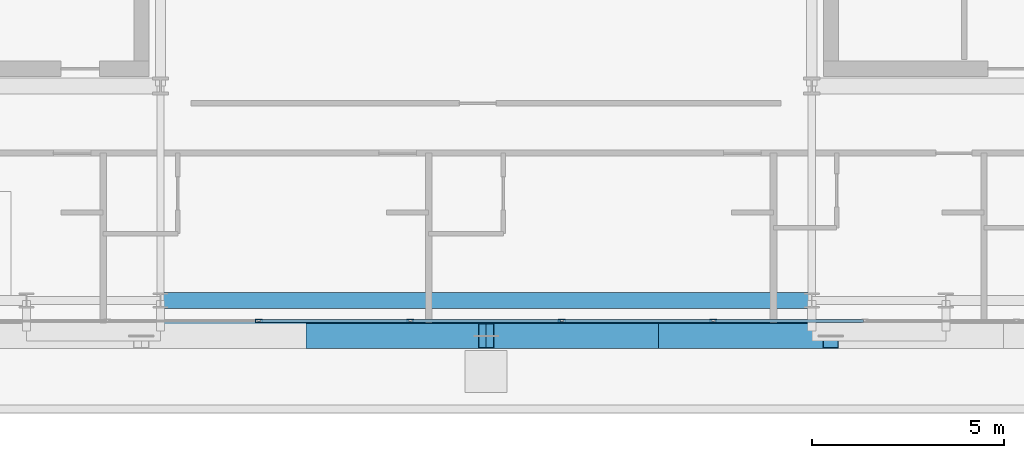
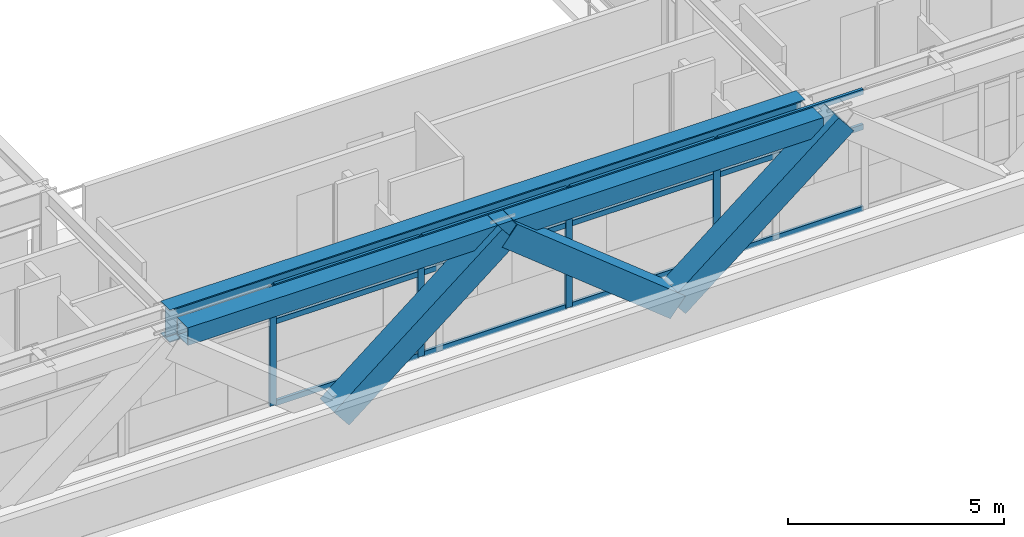
# One storey, part 5 of 27: 19 members, 2 beams, 1 element without a shape of its own.
"""IFC4 building model written with IfcOpenShell, lengths in metres."""

import ifcopenshell
import ifcopenshell.guid

model = None  # the IFC model being written
_history = None  # IfcOwnerHistory: only IFC2X3 demands one
_inside = {}  # id of a spatial element -> (the spatial element, [elements in it])
_under = {}  # id of a project, library or spatial element -> (it, [spatial elements below it])
_declared = {}  # id of a project -> (the project, [libraries it declares])
_typed = {}  # id of a type object -> (the type object, [elements of that type])
_made_of = {}  # id of a material, layer set ... -> (it, [elements and type objects made of it])


def new_model(schema):
    """Start an empty IFC model of exactly this schema.

    Asked for "IFC4X3", IfcOpenShell would pick the latest addendum, in which some entities
    have other attributes; the version numbers below select the first issue.
    IFC2X3 requires an IfcOwnerHistory on every rooted entity: one is made here for all.
    """
    global model, _history
    if schema == "IFC4X3":
        model = ifcopenshell.file(schema_version=(4, 3, 0, 0))
    else:
        model = ifcopenshell.file(schema=schema)
    _inside.clear()
    _under.clear()
    _declared.clear()
    _typed.clear()
    _made_of.clear()
    _history = None
    if model.schema == "IFC2X3":
        org = make("IfcOrganization", Name="unknown")
        user = make(
            "IfcPersonAndOrganization",
            ThePerson=make("IfcPerson", FamilyName="unknown"),
            TheOrganization=org,
        )
        app = make(
            "IfcApplication",
            ApplicationDeveloper=org,
            Version="unknown",
            ApplicationFullName="unknown",
            ApplicationIdentifier="unknown",
        )
        _history = make(
            "IfcOwnerHistory",
            OwningUser=user,
            OwningApplication=app,
            ChangeAction="ADDED",
            CreationDate=0,
        )
    return model


def make(cls, **values):
    """One entity of the class cls with the attributes given. An attribute that is None is left unset."""
    return model.create_entity(
        cls, **{name: value for name, value in values.items() if value is not None}
    )


def rooted(cls, **values):
    """An entity with a GlobalId (a new one), such as an element, a storey or a relation."""
    return make(cls, GlobalId=ifcopenshell.guid.new(), OwnerHistory=_history, **values)


def si_unit(unit_type, name, prefix=None):
    """IfcSIUnit, for example si_unit("LENGTHUNIT", "METRE", prefix="MILLI")."""
    return make("IfcSIUnit", UnitType=unit_type, Prefix=prefix, Name=name)


def assignment(units):
    """IfcUnitAssignment: the units of a project."""
    return None if units is None else make("IfcUnitAssignment", Units=units)


def point(xyz):
    """IfcCartesianPoint."""
    return None if xyz is None else make("IfcCartesianPoint", Coordinates=xyz)


def direction(xyz):
    """IfcDirection."""
    return None if xyz is None else make("IfcDirection", DirectionRatios=xyz)


def frame(location, z_axis=None, x_axis=None):
    """IfcAxis2Placement3D, a coordinate frame: its origin and axes. An axis left out is left unset."""
    return make(
        "IfcAxis2Placement3D",
        Location=point(location),
        Axis=direction(z_axis),
        RefDirection=direction(x_axis),
    )


def frame_2d(location, x_axis=None):
    """IfcAxis2Placement2D, a coordinate frame in the plane: its origin and x axis."""
    return make(
        "IfcAxis2Placement2D", Location=point(location), RefDirection=direction(x_axis)
    )


def origin():
    """The frame at (0, 0, 0) with its axes left unset."""
    return frame((0.0, 0.0, 0.0))


def origin_2d():
    """The frame at (0, 0) in the plane with its x axis left unset."""
    return frame_2d((0.0, 0.0))


def place(relative_to, where):
    """IfcLocalPlacement: puts the frame where relative to a parent placement (None: the world)."""
    return make(
        "IfcLocalPlacement", PlacementRelTo=relative_to, RelativePlacement=where
    )


def context(
    kind, dimensions, precision=None, world=None, true_north=None, identifier=None
):
    """IfcGeometricRepresentationContext, for example the 3D "Model" context."""
    return make(
        "IfcGeometricRepresentationContext",
        ContextIdentifier=identifier,
        ContextType=kind,
        CoordinateSpaceDimension=dimensions,
        Precision=precision,
        WorldCoordinateSystem=world,
        TrueNorth=true_north,
    )


def subcontext(parent, identifier, kind, view, scale=None):
    """IfcGeometricRepresentationSubContext, for example "Body" below "Model"."""
    return make(
        "IfcGeometricRepresentationSubContext",
        ContextIdentifier=identifier,
        ContextType=kind,
        ParentContext=parent,
        TargetScale=scale,
        TargetView=view,
    )


def project(units=None, contexts=None):
    """IfcProject with its units and contexts."""
    return rooted(
        "IfcProject",
        Name="project",
        RepresentationContexts=contexts,
        UnitsInContext=assignment(units),
    )


def spatial(cls, under=None, at=None, **own):
    """A site, building, storey or space (cls), placed at a placement, below another one or the project."""
    s = rooted(cls, ObjectPlacement=at, **own)
    if under is not None:
        _under.setdefault(under.id(), (under, []))[1].append(s)
    return s


def profile(cls, at=None, kind="AREA", **sizes):
    """A parametric profile (cls). Its sizes go by their IFC names, for example OverallWidth=200.0."""
    return make(cls, ProfileType=kind, Position=at, **sizes)


def hollow_rectangle(**sizes):
    """IfcRectangleHollowProfileDef."""
    return profile("IfcRectangleHollowProfileDef", **sizes)


def i_section(**sizes):
    """IfcIShapeProfileDef."""
    return profile("IfcIShapeProfileDef", **sizes)


def extrude(swept, where, along, depth):
    """IfcExtrudedAreaSolid: the profile swept, set in the frame where, extruded along a direction by depth."""
    return make(
        "IfcExtrudedAreaSolid",
        SweptArea=swept,
        Position=where,
        ExtrudedDirection=direction(along),
        Depth=depth,
    )


def shape(context_of_items, identifier, shape_type, items):
    """IfcShapeRepresentation: the items that make up one representation, for example the "Body"."""
    return make(
        "IfcShapeRepresentation",
        ContextOfItems=context_of_items,
        RepresentationIdentifier=identifier,
        RepresentationType=shape_type,
        Items=items,
    )


def source(mapping_origin, context_of_items, identifier, shape_type, items):
    """IfcRepresentationMap: a shape defined once, which mapped items show again and again."""
    return make(
        "IfcRepresentationMap",
        MappingOrigin=mapping_origin,
        MappedRepresentation=shape(context_of_items, identifier, shape_type, items),
    )


def transform(
    local_origin,
    x_axis=None,
    y_axis=None,
    z_axis=None,
    scale=None,
    scale2=None,
    scale3=None,
    uniform=True,
):
    """IfcCartesianTransformationOperator3D, or its non-uniform kind. x_axis, y_axis, z_axis: its Axis1, 2, 3."""
    if uniform:
        return make(
            "IfcCartesianTransformationOperator3D",
            Axis1=direction(x_axis),
            Axis2=direction(y_axis),
            LocalOrigin=point(local_origin),
            Scale=scale,
            Axis3=direction(z_axis),
        )
    return make(
        "IfcCartesianTransformationOperator3DnonUniform",
        Axis1=direction(x_axis),
        Axis2=direction(y_axis),
        LocalOrigin=point(local_origin),
        Scale=scale,
        Axis3=direction(z_axis),
        Scale2=scale2,
        Scale3=scale3,
    )


def mapped(mapping_source, mapping_target):
    """IfcMappedItem: shows the shape of a source again, moved by a transform."""
    return make(
        "IfcMappedItem", MappingSource=mapping_source, MappingTarget=mapping_target
    )


def material(Name=None, Category=None):
    """IfcMaterial."""
    return make("IfcMaterial", Name=Name, Category=Category)


def layer(
    of_material, thickness, ventilated=None, Name=None, Category=None, Priority=None
):
    """IfcMaterialLayer: one layer of a wall or slab, of a material (None: an air gap)."""
    return make(
        "IfcMaterialLayer",
        Material=of_material,
        LayerThickness=thickness,
        IsVentilated=ventilated,
        Name=Name,
        Category=Category,
        Priority=Priority,
    )


def layer_set(layers, Name=None):
    """IfcMaterialLayerSet."""
    return make("IfcMaterialLayerSet", MaterialLayers=layers, LayerSetName=Name)


def material_profile(
    of_material, cross_section, Name=None, Category=None, Priority=None
):
    """IfcMaterialProfile: a cross section and its material."""
    return make(
        "IfcMaterialProfile",
        Name=Name,
        Material=of_material,
        Profile=cross_section,
        Priority=Priority,
        Category=Category,
    )


def profile_set(profiles, Name=None, composite=None):
    """IfcMaterialProfileSet."""
    return make(
        "IfcMaterialProfileSet",
        Name=Name,
        MaterialProfiles=profiles,
        CompositeProfile=composite,
    )


def made_of(thing, what):
    """Note that an element or type object is made of a material, layer set ...; save() writes the relation."""
    if what is not None:
        _made_of.setdefault(what.id(), (what, []))[1].append(thing)
    return thing


def type_object(cls, material=None, **own):
    """A type object (cls), such as IfcWallType, which elements share."""
    return made_of(rooted(cls, **own), material)


def element(
    cls,
    number,
    at=None,
    inside=None,
    cuts=None,
    type_object=None,
    material=None,
    context=None,
    identifier="Body",
    shape_type=None,
    held_by="IfcProductDefinitionShape",
    body=None,
    shapes=None,
    **own,
):
    """One element of the class cls, such as IfcWall. Its Tag is "e" and its number.

    at: its placement. inside: the storey or other place that contains it. cuts: it is an
    opening in that element (IfcRelVoidsElement). A single representation is given by context,
    identifier, shape_type and body (its items); several are given by shapes. held_by: the class
    of the entity that holds the representations. save() writes the other relations.
    """
    e = rooted(cls, Tag="e%d" % number, ObjectPlacement=at, **own)
    if body is not None:
        shapes = [shape(context, identifier, shape_type, body)]
    if shapes is not None:
        e.Representation = make(held_by, Representations=shapes)
    if inside is not None:
        _inside.setdefault(inside.id(), (inside, []))[1].append(e)
    if cuts is not None:
        rooted(
            "IfcRelVoidsElement", RelatingBuildingElement=cuts, RelatedOpeningElement=e
        )
    if type_object is not None:
        _typed.setdefault(type_object.id(), (type_object, []))[1].append(e)
    return made_of(e, material)


def aggregate(whole, parts):
    """IfcRelAggregates: a whole, such as a stair, and the parts it consists of."""
    return rooted("IfcRelAggregates", RelatingObject=whole, RelatedObjects=parts)


def save(model, path):
    """Write the relations noted so far, then the file.

    IfcRelAggregates (storeys below a building ...), IfcRelContainedInSpatialStructure (elements
    in a storey), IfcRelDefinesByType, IfcRelAssociatesMaterial and IfcRelDeclares: one each for
    every whole, place, type object, material and project.
    """
    for whole, parts in _under.values():
        aggregate(whole, parts)
    for where, things in _inside.values():
        rooted(
            "IfcRelContainedInSpatialStructure",
            RelatedElements=things,
            RelatingStructure=where,
        )
    for kind, things in _typed.values():
        rooted("IfcRelDefinesByType", RelatedObjects=things, RelatingType=kind)
    for what, things in _made_of.values():
        rooted("IfcRelAssociatesMaterial", RelatedObjects=things, RelatingMaterial=what)
    for by, libraries in _declared.values():
        rooted("IfcRelDeclares", RelatingContext=by, RelatedDefinitions=libraries)
    model.write(path)


model = new_model("IFC4")

# Units and contexts
model_context = context("Model", 3, precision=1e-05, world=origin(), true_north=direction((0.0, 1.0)))
body_context = subcontext(model_context, "Body", "Model", "MODEL_VIEW")
ifc_project = project(units=[si_unit("LENGTHUNIT", "METRE"), si_unit("AREAUNIT", "SQUARE_METRE"), si_unit("VOLUMEUNIT", "CUBIC_METRE"), si_unit("PLANEANGLEUNIT", "RADIAN"), si_unit("MASSUNIT", "GRAM", prefix="KILO")], contexts=[model_context])

# Site, building, storey
site_placement = place(None, origin())
site = spatial("IfcSite", under=ifc_project, at=site_placement, CompositionType="ELEMENT")
building_placement = place(site_placement, origin())
building = spatial("IfcBuilding", under=site, at=building_placement, Name="Ocotamira Hotel", CompositionType="ELEMENT")
storey_placement = place(building_placement, frame((0.0, 0.0, 232.800048828125)))
storey = spatial("IfcBuildingStorey", under=building, at=storey_placement, Name="L58", CompositionType="ELEMENT", Elevation=232.800048828125)

# Beams
ifc_material_1 = material(Name="Steel ASTM A992 Grade 50", Category="steel")
ifc_material_profile_1 = material_profile(ifc_material_1, i_section(OverallWidth=0.41796875, OverallDepth=0.927001953125, WebThickness=0.019287109375, FlangeThickness=0.031982421875, FilletRadius=0.02392578125, at=origin_2d()), Name="W36X231")
ifc_profile_set_1 = profile_set([ifc_material_profile_1], Name="Steel ASTM A992 Grade 50")
beam_type_1 = type_object("IfcBeamType", Name="BM-GIRD-W36X231", PredefinedType="BEAM", material=ifc_profile_set_1)
shared_shape_1 = source(origin(), body_context, "Body", "SweptSolid", [
    extrude(i_section(OverallWidth=0.41796875, OverallDepth=0.927001953125, WebThickness=0.019287109375, FlangeThickness=0.031982421875, FilletRadius=0.02392578125, at=origin_2d()), origin(), (0.0, 0.0, 1.0), 17.0),
])
beam_1_placement = place(storey_placement, frame((23.5, 8.949951171875, 2.91650390625), z_axis=(1.0, 0.0, 0.0), x_axis=(0.0, 1.0, 0.0)))
element("IfcBeam", 1, at=beam_1_placement, inside=storey, type_object=beam_type_1, Name="L58 Girder Y8.95 X23.5-40.5", PredefinedType="BEAM", context=body_context, shape_type="MappedRepresentation", body=[
    mapped(shared_shape_1, transform((0.0, 0.0, 0.0), scale=1.0)),
])
ifc_material_2 = material(Name="Steel ASTM A500 Grade C", Category="steel")
ifc_material_profile_2 = material_profile(ifc_material_2, hollow_rectangle(XDim=0.5, YDim=0.5, WallThickness=0.02001953125, at=origin_2d()), Name="HSS500X500X20")
ifc_profile_set_2 = profile_set([ifc_material_profile_2], Name="Steel ASTM A500 Grade C")
beam_type_2 = type_object("IfcBeamType", Name="BM-SPAN-HSS500", PredefinedType="USERDEFINED", material=ifc_profile_set_2)
shared_shape_2 = source(origin(), body_context, "Body", "SweptSolid", [
    extrude(hollow_rectangle(XDim=0.5, YDim=0.5, WallThickness=0.02001953125, at=origin_2d()), origin(), (0.0, 0.0, 1.0), 17.0),
])
beam_2_placement = place(storey_placement, frame((23.5, 8.14990234375, 3.1298828125), z_axis=(1.0, 0.0, 0.0), x_axis=(0.0, 1.0, 0.0)))
element("IfcBeam", 2, at=beam_2_placement, inside=storey, type_object=beam_type_2, Name="L58 Edge Spandrel S X23.5-40.5", ObjectType="SPANDREL", PredefinedType="USERDEFINED", context=body_context, shape_type="MappedRepresentation", body=[
    mapped(shared_shape_2, transform((0.0, 0.0, 0.0), scale=1.0)),
])

# Members
ifc_material_3 = material(Name="Pale-metal coated steel ASTM A913 Grade 65", Category="steel")
ifc_material_profile_3 = material_profile(ifc_material_3, hollow_rectangle(XDim=0.64990234375, YDim=0.64990234375, WallThickness=0.02197265625, at=origin_2d()), Name="BOX650X650X22")
ifc_profile_set_3 = profile_set([ifc_material_profile_3], Name="Pale-metal coated steel ASTM A913 Grade 65")
member_type_1 = type_object("IfcMemberType", Name="MEM-EXO-BOX650", PredefinedType="BRACE", material=ifc_profile_set_3)
shared_shape_3 = source(origin(), body_context, "Body", "SweptSolid", [
    extrude(hollow_rectangle(XDim=0.64990234375, YDim=0.64990234375, WallThickness=0.02197265625, at=origin_2d()), origin(), (0.0, 0.0, 1.0), 5.7626953125),
])
for number, where, z_axis, x_axis, name in (
    (3, (27.5, 8.030029296875, -0.469970703125), (0.780881208953, 0.0, 0.624679547852), (0.0, 1.0, 0.0), "L58 Exoskeleton Diagrid S1.2"),
    (4, (36.5, 8.030029296875, -0.469970703125), (-0.780881208953, 0.0, 0.624679547852), (0.0, -1.0, 0.0), "L58 Exoskeleton Diagrid S2.1"),
    (5, (36.5, 8.030029296875, -0.469970703125), (0.780881208953, 0.0, 0.624679547852), (0.0, 1.0, 0.0), "L58 Exoskeleton Diagrid S2.2"),
):
    element("IfcMember", number, at=place(storey_placement, frame(where, z_axis=z_axis, x_axis=x_axis)), inside=storey, type_object=member_type_1, Name=name, PredefinedType="BRACE", context=body_context, shape_type="MappedRepresentation", body=[
        mapped(shared_shape_3, transform((0.0, 0.0, 0.0), scale=1.0)),
    ])

# Curtain wall, members
ifc_material_4 = material(Name="Anodised pale-metal aluminium and solar glass", Category="aluminium")
ifc_layer = layer(ifc_material_4, 0.239990234375)
ifc_layer_set = layer_set([ifc_layer], Name="Anodised pale-metal aluminium and solar glass")
curtain_wall_type = type_object("IfcCurtainWallType", Name="CW-SYS5-SKY", PredefinedType="NOTDEFINED", material=ifc_layer_set)
curtain_wall_placement = place(storey_placement, origin())
curtain_wall = element("IfcCurtainWall", 6, at=curtain_wall_placement, inside=storey, type_object=curtain_wall_type, Name="L58 Curtain Wall CW-5 CW-L58-S1", PredefinedType="NOTDEFINED")
ifc_material_5 = material(Name="Anodised pale-metal aluminium 6063-T6", Category="aluminium")
ifc_material_profile_4 = material_profile(ifc_material_5, hollow_rectangle(XDim=0.074951171875, YDim=0.14990234375, WallThickness=0.006103515625, at=origin_2d()), Name="HSS150X75X6")
ifc_profile_set_4 = profile_set([ifc_material_profile_4], Name="Anodised pale-metal aluminium 6063-T6")
member_type_2 = type_object("IfcMemberType", Name="CWT-150X75", PredefinedType="USERDEFINED", material=ifc_profile_set_4)
shared_shape_4 = source(origin(), body_context, "Body", "SweptSolid", [
    extrude(hollow_rectangle(XDim=0.074951171875, YDim=0.14990234375, WallThickness=0.006103515625, at=origin_2d()), origin(), (0.0, 0.0, 1.0), 3.87548828125),
])
member_1_placement = place(storey_placement, frame((26.106689453125, 8.419921875, 0.037353515625), z_axis=(1.0, 0.0, 0.0), x_axis=(0.0, 1.0, 0.0)))
member_1 = element("IfcMember", 7, at=member_1_placement, type_object=member_type_2, Name="CW-5 transom 4.1", ObjectType="TRANSOM", PredefinedType="USERDEFINED", context=body_context, shape_type="MappedRepresentation", body=[
    mapped(shared_shape_4, transform((0.0, 0.0, 0.0), scale=1.0)),
])
member_2_placement = place(storey_placement, frame((26.106689453125, 8.419921875, 2.349853515625), z_axis=(1.0, 0.0, 0.0), x_axis=(0.0, 1.0, 0.0)))
member_2 = element("IfcMember", 8, at=member_2_placement, type_object=member_type_2, Name="CW-5 transom 4.2", ObjectType="TRANSOM", PredefinedType="USERDEFINED", context=body_context, shape_type="MappedRepresentation", body=[
    mapped(shared_shape_4, transform((0.0, 0.0, 0.0), scale=1.0)),
])
member_3_placement = place(storey_placement, frame((26.106689453125, 8.419921875, 3.342529296875), z_axis=(1.0, 0.0, 0.0), x_axis=(0.0, 1.0, 0.0)))
member_3 = element("IfcMember", 9, at=member_3_placement, type_object=member_type_2, Name="CW-5 transom 4.3", ObjectType="TRANSOM", PredefinedType="USERDEFINED", context=body_context, shape_type="MappedRepresentation", body=[
    mapped(shared_shape_4, transform((0.0, 0.0, 0.0), scale=1.0)),
])
member_4_placement = place(storey_placement, frame((30.062255859375, 8.419921875, 0.037353515625), z_axis=(1.0, 0.0, 0.0), x_axis=(0.0, 1.0, 0.0)))
member_4 = element("IfcMember", 10, at=member_4_placement, type_object=member_type_2, Name="CW-5 transom 5.1", ObjectType="TRANSOM", PredefinedType="USERDEFINED", context=body_context, shape_type="MappedRepresentation", body=[
    mapped(shared_shape_4, transform((0.0, 0.0, 0.0), scale=1.0)),
])
member_5_placement = place(storey_placement, frame((30.062255859375, 8.419921875, 2.349853515625), z_axis=(1.0, 0.0, 0.0), x_axis=(0.0, 1.0, 0.0)))
member_5 = element("IfcMember", 11, at=member_5_placement, type_object=member_type_2, Name="CW-5 transom 5.2", ObjectType="TRANSOM", PredefinedType="USERDEFINED", context=body_context, shape_type="MappedRepresentation", body=[
    mapped(shared_shape_4, transform((0.0, 0.0, 0.0), scale=1.0)),
])
member_6_placement = place(storey_placement, frame((30.062255859375, 8.419921875, 3.342529296875), z_axis=(1.0, 0.0, 0.0), x_axis=(0.0, 1.0, 0.0)))
member_6 = element("IfcMember", 12, at=member_6_placement, type_object=member_type_2, Name="CW-5 transom 5.3", ObjectType="TRANSOM", PredefinedType="USERDEFINED", context=body_context, shape_type="MappedRepresentation", body=[
    mapped(shared_shape_4, transform((0.0, 0.0, 0.0), scale=1.0)),
])
member_7_placement = place(storey_placement, frame((34.017822265625, 8.419921875, 0.037353515625), z_axis=(1.0, 0.0, 0.0), x_axis=(0.0, 1.0, 0.0)))
member_7 = element("IfcMember", 13, at=member_7_placement, type_object=member_type_2, Name="CW-5 transom 6.1", ObjectType="TRANSOM", PredefinedType="USERDEFINED", context=body_context, shape_type="MappedRepresentation", body=[
    mapped(shared_shape_4, transform((0.0, 0.0, 0.0), scale=1.0)),
])
member_8_placement = place(storey_placement, frame((34.017822265625, 8.419921875, 2.349853515625), z_axis=(1.0, 0.0, 0.0), x_axis=(0.0, 1.0, 0.0)))
member_8 = element("IfcMember", 14, at=member_8_placement, type_object=member_type_2, Name="CW-5 transom 6.2", ObjectType="TRANSOM", PredefinedType="USERDEFINED", context=body_context, shape_type="MappedRepresentation", body=[
    mapped(shared_shape_4, transform((0.0, 0.0, 0.0), scale=1.0)),
])
member_9_placement = place(storey_placement, frame((34.017822265625, 8.419921875, 3.342529296875), z_axis=(1.0, 0.0, 0.0), x_axis=(0.0, 1.0, 0.0)))
member_9 = element("IfcMember", 15, at=member_9_placement, type_object=member_type_2, Name="CW-5 transom 6.3", ObjectType="TRANSOM", PredefinedType="USERDEFINED", context=body_context, shape_type="MappedRepresentation", body=[
    mapped(shared_shape_4, transform((0.0, 0.0, 0.0), scale=1.0)),
])
member_10_placement = place(storey_placement, frame((37.973388671875, 8.419921875, 0.037353515625), z_axis=(1.0, 0.0, 0.0), x_axis=(0.0, 1.0, 0.0)))
member_10 = element("IfcMember", 16, at=member_10_placement, type_object=member_type_2, Name="CW-5 transom 7.1", ObjectType="TRANSOM", PredefinedType="USERDEFINED", context=body_context, shape_type="MappedRepresentation", body=[
    mapped(shared_shape_4, transform((0.0, 0.0, 0.0), scale=1.0)),
])
member_11_placement = place(storey_placement, frame((37.973388671875, 8.419921875, 2.349853515625), z_axis=(1.0, 0.0, 0.0), x_axis=(0.0, 1.0, 0.0)))
member_11 = element("IfcMember", 17, at=member_11_placement, type_object=member_type_2, Name="CW-5 transom 7.2", ObjectType="TRANSOM", PredefinedType="USERDEFINED", context=body_context, shape_type="MappedRepresentation", body=[
    mapped(shared_shape_4, transform((0.0, 0.0, 0.0), scale=1.0)),
])
member_12_placement = place(storey_placement, frame((37.973388671875, 8.419921875, 3.342529296875), z_axis=(1.0, 0.0, 0.0), x_axis=(0.0, 1.0, 0.0)))
member_12 = element("IfcMember", 18, at=member_12_placement, type_object=member_type_2, Name="CW-5 transom 7.3", ObjectType="TRANSOM", PredefinedType="USERDEFINED", context=body_context, shape_type="MappedRepresentation", body=[
    mapped(shared_shape_4, transform((0.0, 0.0, 0.0), scale=1.0)),
])
ifc_material_profile_5 = material_profile(ifc_material_5, hollow_rectangle(XDim=0.080078125, YDim=0.179931640625, WallThickness=0.006103515625, at=origin_2d()), Name="HSS180X80X6")
ifc_profile_set_5 = profile_set([ifc_material_profile_5], Name="Anodised pale-metal aluminium 6063-T6")
member_type_3 = type_object("IfcMemberType", Name="CWM-180X75", PredefinedType="MULLION", material=ifc_profile_set_5)
shared_shape_5 = source(origin(), body_context, "Body", "SweptSolid", [
    extrude(hollow_rectangle(XDim=0.080078125, YDim=0.179931640625, WallThickness=0.006103515625, at=origin_2d()), origin(), (0.0, 0.0, 1.0), 3.3798828125),
])
member_13_placement = place(storey_placement, frame((26.066650390625, 8.419921875, 0.0), z_axis=(0.0, 0.0, 1.0), x_axis=(0.0, 1.0, 0.0)))
member_13 = element("IfcMember", 19, at=member_13_placement, type_object=member_type_3, Name="CW-5 mullion 4", PredefinedType="MULLION", context=body_context, shape_type="MappedRepresentation", body=[
    mapped(shared_shape_5, transform((0.0, 0.0, 0.0), scale=1.0)),
])
member_14_placement = place(storey_placement, frame((30.022216796875, 8.419921875, 0.0), z_axis=(0.0, 0.0, 1.0), x_axis=(0.0, 1.0, 0.0)))
member_14 = element("IfcMember", 20, at=member_14_placement, type_object=member_type_3, Name="CW-5 mullion 5", PredefinedType="MULLION", context=body_context, shape_type="MappedRepresentation", body=[
    mapped(shared_shape_5, transform((0.0, 0.0, 0.0), scale=1.0)),
])
member_15_placement = place(storey_placement, frame((33.977783203125, 8.419921875, 0.0), z_axis=(0.0, 0.0, 1.0), x_axis=(0.0, 1.0, 0.0)))
member_15 = element("IfcMember", 21, at=member_15_placement, type_object=member_type_3, Name="CW-5 mullion 6", PredefinedType="MULLION", context=body_context, shape_type="MappedRepresentation", body=[
    mapped(shared_shape_5, transform((0.0, 0.0, 0.0), scale=1.0)),
])
member_16_placement = place(storey_placement, frame((37.933349609375, 8.419921875, 0.0), z_axis=(0.0, 0.0, 1.0), x_axis=(0.0, 1.0, 0.0)))
member_16 = element("IfcMember", 22, at=member_16_placement, type_object=member_type_3, Name="CW-5 mullion 7", PredefinedType="MULLION", context=body_context, shape_type="MappedRepresentation", body=[
    mapped(shared_shape_5, transform((0.0, 0.0, 0.0), scale=1.0)),
])
aggregate(curtain_wall, [member_13, member_14, member_15, member_16, member_1, member_2, member_3, member_4, member_5, member_6, member_7, member_8, member_9, member_10, member_11, member_12])

save(model, "model.ifc")
